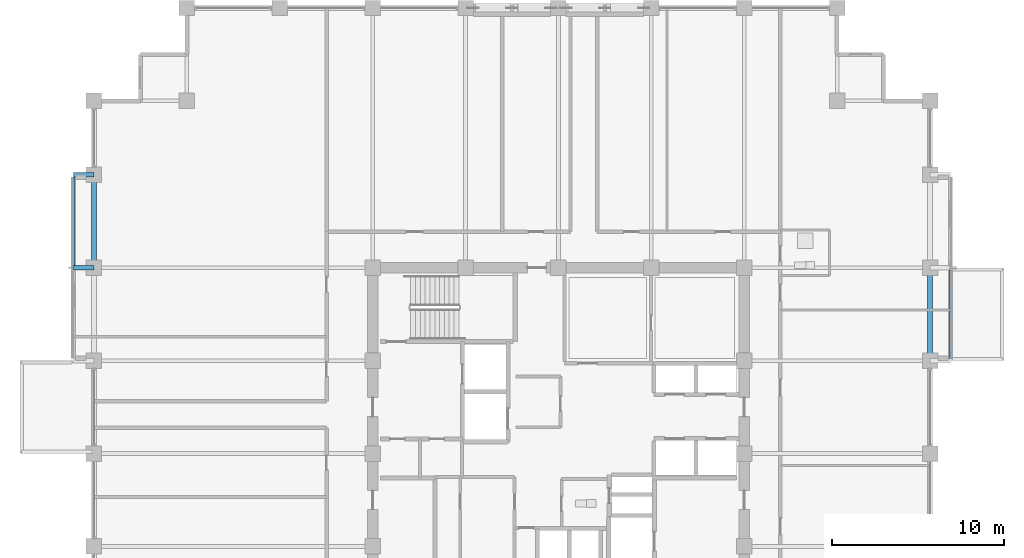
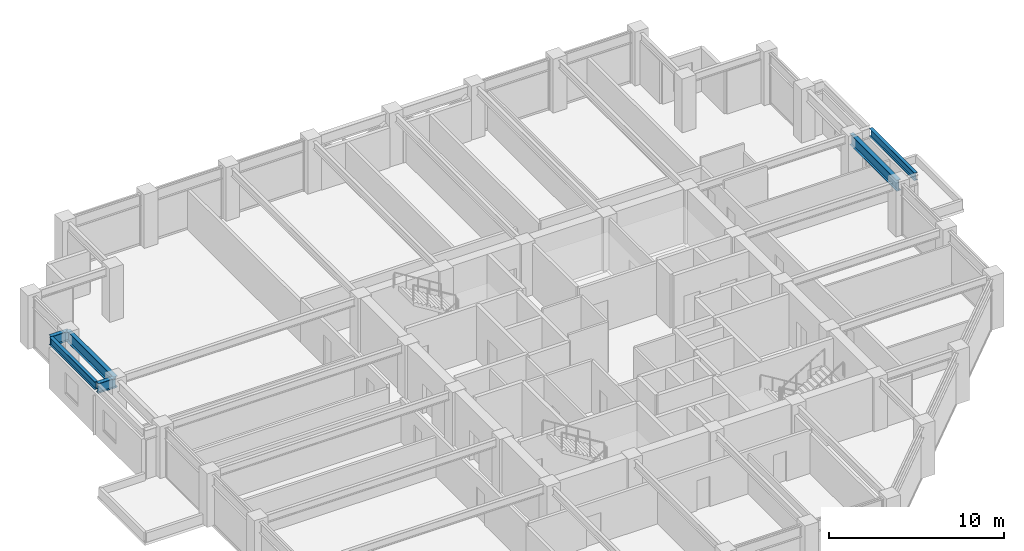
# One storey, part 12 of 28: 6 beams.
"""IFC4 building model written with IfcOpenShell, lengths in metres."""

import ifcopenshell
import ifcopenshell.guid

model = None  # the IFC model being written
_history = None  # IfcOwnerHistory: only IFC2X3 demands one
_inside = {}  # id of a spatial element -> (the spatial element, [elements in it])
_under = {}  # id of a project, library or spatial element -> (it, [spatial elements below it])
_declared = {}  # id of a project -> (the project, [libraries it declares])
_typed = {}  # id of a type object -> (the type object, [elements of that type])
_made_of = {}  # id of a material, layer set ... -> (it, [elements and type objects made of it])


def new_model(schema):
    """Start an empty IFC model of exactly this schema.

    Asked for "IFC4X3", IfcOpenShell would pick the latest addendum, in which some entities
    have other attributes; the version numbers below select the first issue.
    IFC2X3 requires an IfcOwnerHistory on every rooted entity: one is made here for all.
    """
    global model, _history
    if schema == "IFC4X3":
        model = ifcopenshell.file(schema_version=(4, 3, 0, 0))
    else:
        model = ifcopenshell.file(schema=schema)
    _inside.clear()
    _under.clear()
    _declared.clear()
    _typed.clear()
    _made_of.clear()
    _history = None
    if model.schema == "IFC2X3":
        org = make("IfcOrganization", Name="unknown")
        user = make(
            "IfcPersonAndOrganization",
            ThePerson=make("IfcPerson", FamilyName="unknown"),
            TheOrganization=org,
        )
        app = make(
            "IfcApplication",
            ApplicationDeveloper=org,
            Version="unknown",
            ApplicationFullName="unknown",
            ApplicationIdentifier="unknown",
        )
        _history = make(
            "IfcOwnerHistory",
            OwningUser=user,
            OwningApplication=app,
            ChangeAction="ADDED",
            CreationDate=0,
        )
    return model


def make(cls, **values):
    """One entity of the class cls with the attributes given. An attribute that is None is left unset."""
    return model.create_entity(
        cls, **{name: value for name, value in values.items() if value is not None}
    )


def rooted(cls, **values):
    """An entity with a GlobalId (a new one), such as an element, a storey or a relation."""
    return make(cls, GlobalId=ifcopenshell.guid.new(), OwnerHistory=_history, **values)


def si_unit(unit_type, name, prefix=None):
    """IfcSIUnit, for example si_unit("LENGTHUNIT", "METRE", prefix="MILLI")."""
    return make("IfcSIUnit", UnitType=unit_type, Prefix=prefix, Name=name)


def assignment(units):
    """IfcUnitAssignment: the units of a project."""
    return None if units is None else make("IfcUnitAssignment", Units=units)


def point(xyz):
    """IfcCartesianPoint."""
    return None if xyz is None else make("IfcCartesianPoint", Coordinates=xyz)


def direction(xyz):
    """IfcDirection."""
    return None if xyz is None else make("IfcDirection", DirectionRatios=xyz)


def frame(location, z_axis=None, x_axis=None):
    """IfcAxis2Placement3D, a coordinate frame: its origin and axes. An axis left out is left unset."""
    return make(
        "IfcAxis2Placement3D",
        Location=point(location),
        Axis=direction(z_axis),
        RefDirection=direction(x_axis),
    )


def frame_2d(location, x_axis=None):
    """IfcAxis2Placement2D, a coordinate frame in the plane: its origin and x axis."""
    return make(
        "IfcAxis2Placement2D", Location=point(location), RefDirection=direction(x_axis)
    )


def origin():
    """The frame at (0, 0, 0) with its axes left unset."""
    return frame((0.0, 0.0, 0.0))


def origin_2d():
    """The frame at (0, 0) in the plane with its x axis left unset."""
    return frame_2d((0.0, 0.0))


def place(relative_to, where):
    """IfcLocalPlacement: puts the frame where relative to a parent placement (None: the world)."""
    return make(
        "IfcLocalPlacement", PlacementRelTo=relative_to, RelativePlacement=where
    )


def context(
    kind, dimensions, precision=None, world=None, true_north=None, identifier=None
):
    """IfcGeometricRepresentationContext, for example the 3D "Model" context."""
    return make(
        "IfcGeometricRepresentationContext",
        ContextIdentifier=identifier,
        ContextType=kind,
        CoordinateSpaceDimension=dimensions,
        Precision=precision,
        WorldCoordinateSystem=world,
        TrueNorth=true_north,
    )


def subcontext(parent, identifier, kind, view, scale=None):
    """IfcGeometricRepresentationSubContext, for example "Body" below "Model"."""
    return make(
        "IfcGeometricRepresentationSubContext",
        ContextIdentifier=identifier,
        ContextType=kind,
        ParentContext=parent,
        TargetScale=scale,
        TargetView=view,
    )


def project(units=None, contexts=None):
    """IfcProject with its units and contexts."""
    return rooted(
        "IfcProject",
        Name="project",
        RepresentationContexts=contexts,
        UnitsInContext=assignment(units),
    )


def spatial(cls, under=None, at=None, **own):
    """A site, building, storey or space (cls), placed at a placement, below another one or the project."""
    s = rooted(cls, ObjectPlacement=at, **own)
    if under is not None:
        _under.setdefault(under.id(), (under, []))[1].append(s)
    return s


def profile(cls, at=None, kind="AREA", **sizes):
    """A parametric profile (cls). Its sizes go by their IFC names, for example OverallWidth=200.0."""
    return make(cls, ProfileType=kind, Position=at, **sizes)


def i_section(**sizes):
    """IfcIShapeProfileDef."""
    return profile("IfcIShapeProfileDef", **sizes)


def extrude(swept, where, along, depth):
    """IfcExtrudedAreaSolid: the profile swept, set in the frame where, extruded along a direction by depth."""
    return make(
        "IfcExtrudedAreaSolid",
        SweptArea=swept,
        Position=where,
        ExtrudedDirection=direction(along),
        Depth=depth,
    )


def shape(context_of_items, identifier, shape_type, items):
    """IfcShapeRepresentation: the items that make up one representation, for example the "Body"."""
    return make(
        "IfcShapeRepresentation",
        ContextOfItems=context_of_items,
        RepresentationIdentifier=identifier,
        RepresentationType=shape_type,
        Items=items,
    )


def material(Name=None, Category=None):
    """IfcMaterial."""
    return make("IfcMaterial", Name=Name, Category=Category)


def material_profile(
    of_material, cross_section, Name=None, Category=None, Priority=None
):
    """IfcMaterialProfile: a cross section and its material."""
    return make(
        "IfcMaterialProfile",
        Name=Name,
        Material=of_material,
        Profile=cross_section,
        Priority=Priority,
        Category=Category,
    )


def profile_set(profiles, Name=None, composite=None):
    """IfcMaterialProfileSet."""
    return make(
        "IfcMaterialProfileSet",
        Name=Name,
        MaterialProfiles=profiles,
        CompositeProfile=composite,
    )


def made_of(thing, what):
    """Note that an element or type object is made of a material, layer set ...; save() writes the relation."""
    if what is not None:
        _made_of.setdefault(what.id(), (what, []))[1].append(thing)
    return thing


def type_object(cls, material=None, **own):
    """A type object (cls), such as IfcWallType, which elements share."""
    return made_of(rooted(cls, **own), material)


def element(
    cls,
    number,
    at=None,
    inside=None,
    cuts=None,
    type_object=None,
    material=None,
    context=None,
    identifier="Body",
    shape_type=None,
    held_by="IfcProductDefinitionShape",
    body=None,
    shapes=None,
    **own,
):
    """One element of the class cls, such as IfcWall. Its Tag is "e" and its number.

    at: its placement. inside: the storey or other place that contains it. cuts: it is an
    opening in that element (IfcRelVoidsElement). A single representation is given by context,
    identifier, shape_type and body (its items); several are given by shapes. held_by: the class
    of the entity that holds the representations. save() writes the other relations.
    """
    e = rooted(cls, Tag="e%d" % number, ObjectPlacement=at, **own)
    if body is not None:
        shapes = [shape(context, identifier, shape_type, body)]
    if shapes is not None:
        e.Representation = make(held_by, Representations=shapes)
    if inside is not None:
        _inside.setdefault(inside.id(), (inside, []))[1].append(e)
    if cuts is not None:
        rooted(
            "IfcRelVoidsElement", RelatingBuildingElement=cuts, RelatedOpeningElement=e
        )
    if type_object is not None:
        _typed.setdefault(type_object.id(), (type_object, []))[1].append(e)
    return made_of(e, material)


def aggregate(whole, parts):
    """IfcRelAggregates: a whole, such as a stair, and the parts it consists of."""
    return rooted("IfcRelAggregates", RelatingObject=whole, RelatedObjects=parts)


def save(model, path):
    """Write the relations noted so far, then the file.

    IfcRelAggregates (storeys below a building ...), IfcRelContainedInSpatialStructure (elements
    in a storey), IfcRelDefinesByType, IfcRelAssociatesMaterial and IfcRelDeclares: one each for
    every whole, place, type object, material and project.
    """
    for whole, parts in _under.values():
        aggregate(whole, parts)
    for where, things in _inside.values():
        rooted(
            "IfcRelContainedInSpatialStructure",
            RelatedElements=things,
            RelatingStructure=where,
        )
    for kind, things in _typed.values():
        rooted("IfcRelDefinesByType", RelatedObjects=things, RelatingType=kind)
    for what, things in _made_of.values():
        rooted("IfcRelAssociatesMaterial", RelatedObjects=things, RelatingMaterial=what)
    for by, libraries in _declared.values():
        rooted("IfcRelDeclares", RelatingContext=by, RelatedDefinitions=libraries)
    model.write(path)


model = new_model("IFC4")

# Units and contexts
model_context = context("Model", 3, precision=1e-05, world=origin(), true_north=direction((0.0, 1.0)))
body_context = subcontext(model_context, "Body", "Model", "MODEL_VIEW")
ifc_project = project(units=[si_unit("LENGTHUNIT", "METRE"), si_unit("AREAUNIT", "SQUARE_METRE"), si_unit("VOLUMEUNIT", "CUBIC_METRE"), si_unit("PLANEANGLEUNIT", "RADIAN"), si_unit("MASSUNIT", "GRAM", prefix="KILO")], contexts=[model_context])

# Site, building, storey
site_placement = place(None, origin())
site = spatial("IfcSite", under=ifc_project, at=site_placement, CompositionType="ELEMENT")
building_placement = place(site_placement, origin())
building = spatial("IfcBuilding", under=site, at=building_placement, Name="Surkhivell Harbour Commons", CompositionType="ELEMENT")
storey_placement = place(building_placement, frame((0.0, 0.0, 182.25)))
storey = spatial("IfcBuildingStorey", under=building, at=storey_placement, Name="L47", CompositionType="ELEMENT", Elevation=182.25)

# Beams
ifc_material_1 = material(Name="Steel S460", Category="steel")
ifc_material_profile_1 = material_profile(ifc_material_1, i_section(OverallWidth=0.256103515625, OverallDepth=0.693115234375, WebThickness=0.014404296875, FlangeThickness=0.023681640625, at=origin_2d()), Name="UB686x254x170")
ifc_profile_set_1 = profile_set([ifc_material_profile_1], Name="Steel S460")
beam_type_1 = type_object("IfcBeamType", Name="BM-CNT-686", PredefinedType="BEAM", material=ifc_profile_set_1)
for number, where, z_axis, x_axis, name in (
    (1, (-27.0, 10.800048828125, 3.223388671875), (-1.0, 0.0, 0.0), (0.0, -1.0, 0.0), "L47 Box Cantilever Outrigger (-27.0,10.8)"),
    (2, (-27.0, 16.199951171875, 3.223388671875), (-1.0, 0.0, 0.0), (0.0, -1.0, 0.0), "L47 Box Cantilever Outrigger (-27.0,16.2)"),
):
    element("IfcBeam", number, at=place(storey_placement, frame(where, z_axis=z_axis, x_axis=x_axis)), inside=storey, type_object=beam_type_1, Name=name, PredefinedType="BEAM", context=body_context, shape_type="SweptSolid", body=[
        extrude(i_section(OverallWidth=0.256103515625, OverallDepth=0.693115234375, WebThickness=0.014404296875, FlangeThickness=0.023681640625, at=origin_2d()), origin(), (0.0, 0.0, 1.0), 1.199951171875),
    ])
ifc_material_2 = material(Name="Steel S355", Category="steel")
ifc_material_profile_2 = material_profile(ifc_material_2, i_section(OverallWidth=0.2099609375, OverallDepth=0.537109375, WebThickness=0.0107421875, FlangeThickness=0.017333984375, at=origin_2d()), Name="UB533x210x101")
ifc_profile_set_2 = profile_set([ifc_material_profile_2], Name="Steel S355")
beam_type_2 = type_object("IfcBeamType", Name="BM-GRD-533B", PredefinedType="BEAM", material=ifc_profile_set_2)
beam_1_placement = place(storey_placement, frame((-28.199951171875, 10.922119140625, 3.301513671875), z_axis=(0.0, 1.0, 0.0), x_axis=(-1.0, 0.0, 0.0)))
element("IfcBeam", 3, at=beam_1_placement, inside=storey, type_object=beam_type_2, Name="L47 Box Rim Spandrel (-28.2,10.8)", PredefinedType="BEAM", context=body_context, shape_type="SweptSolid", body=[
    extrude(i_section(OverallWidth=0.2099609375, OverallDepth=0.537109375, WebThickness=0.0107421875, FlangeThickness=0.017333984375, at=origin_2d()), origin(), (0.0, 0.0, 1.0), 5.15576171875),
])
beam_2_placement = place(storey_placement, frame((22.800048828125, 5.52197265625, 3.301513671875), z_axis=(0.0, 1.0, 0.0), x_axis=(-1.0, 0.0, 0.0)))
element("IfcBeam", 4, at=beam_2_placement, inside=storey, type_object=beam_type_2, Name="L47 Box Rim Spandrel (22.8,5.4)", PredefinedType="BEAM", context=body_context, shape_type="SweptSolid", body=[
    extrude(i_section(OverallWidth=0.2099609375, OverallDepth=0.537109375, WebThickness=0.0107421875, FlangeThickness=0.017333984375, at=origin_2d()), origin(), (0.0, 0.0, 1.0), 5.156005859375),
])
ifc_material_profile_3 = material_profile(ifc_material_2, i_section(OverallWidth=0.26806640625, OverallDepth=0.77001953125, WebThickness=0.015625, FlangeThickness=0.025390625, at=origin_2d()), Name="UB762x267x197")
ifc_profile_set_3 = profile_set([ifc_material_profile_3], Name="Steel S355")
beam_type_3 = type_object("IfcBeamType", Name="BM-SPN-762", PredefinedType="SPANDREL", material=ifc_profile_set_3)
beam_3_placement = place(storey_placement, frame((-27.0, 10.800048828125, 3.18505859375), z_axis=(0.0, 1.0, 0.0), x_axis=(-1.0, 0.0, 0.0)))
element("IfcBeam", 5, at=beam_3_placement, inside=storey, type_object=beam_type_3, Name="L47 Tube Spandrel (-27.0,10.8)", PredefinedType="SPANDREL", context=body_context, shape_type="SweptSolid", body=[
    extrude(i_section(OverallWidth=0.26806640625, OverallDepth=0.77001953125, WebThickness=0.015625, FlangeThickness=0.025390625, at=origin_2d()), origin(), (0.0, 0.0, 1.0), 5.39990234375),
])
beam_4_placement = place(storey_placement, frame((21.60009765625, 5.39990234375, 3.18505859375), z_axis=(0.0, 1.0, 0.0), x_axis=(-1.0, 0.0, 0.0)))
element("IfcBeam", 6, at=beam_4_placement, inside=storey, type_object=beam_type_3, Name="L47 Tube Spandrel (21.6,5.4)", PredefinedType="SPANDREL", context=body_context, shape_type="SweptSolid", body=[
    extrude(i_section(OverallWidth=0.26806640625, OverallDepth=0.77001953125, WebThickness=0.015625, FlangeThickness=0.025390625, at=origin_2d()), origin(), (0.0, 0.0, 1.0), 5.400146484375),
])

save(model, "model.ifc")
